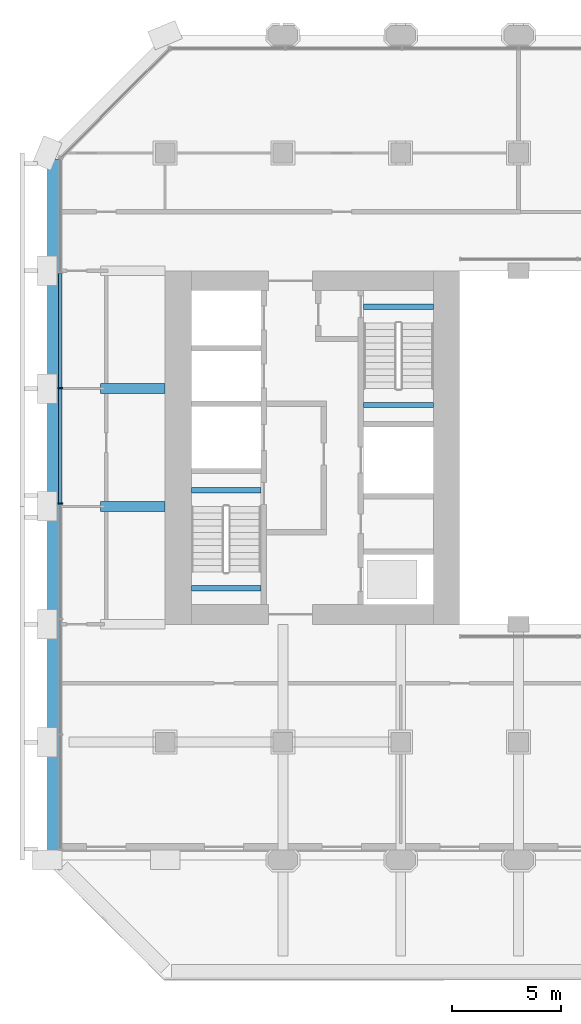
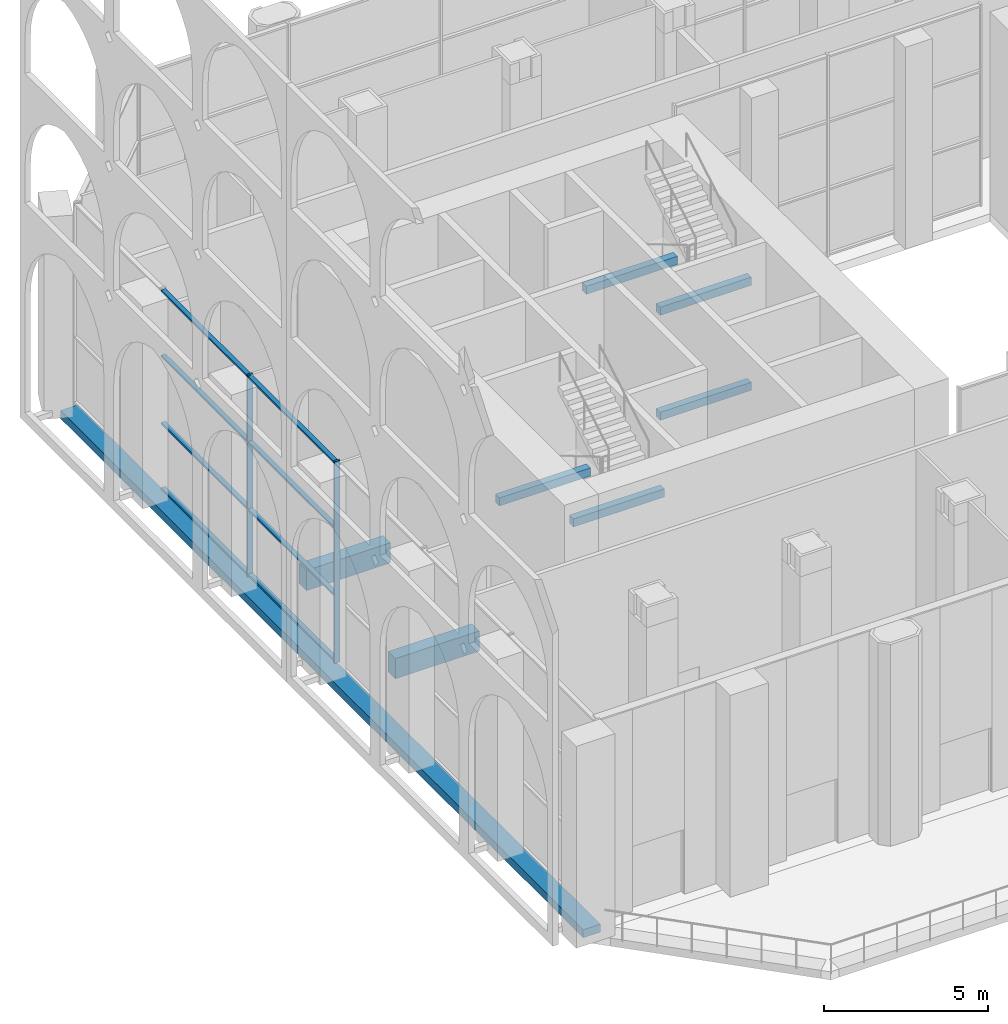
# One storey, part 4 of 20: 10 members, 8 beams, 1 element without a shape of its own.
"""IFC4 building model written with IfcOpenShell, lengths in metres."""

from ifc_helpers import new_model, si_unit, direction, frame, origin, origin_2d, place, context, subcontext, project, spatial, rectangle, extrude, material, material_profile, profile_set, type_object, element, aggregate, save


model = new_model("IFC4")

# Units and contexts
model_context = context("Model", 3, precision=1e-05, world=origin(), true_north=direction((0.0, 1.0)))
body_context = subcontext(model_context, "Body", "Model", "MODEL_VIEW")
ifc_project = project(units=[si_unit("LENGTHUNIT", "METRE"), si_unit("AREAUNIT", "SQUARE_METRE"), si_unit("VOLUMEUNIT", "CUBIC_METRE"), si_unit("PLANEANGLEUNIT", "RADIAN"), si_unit("MASSUNIT", "GRAM", prefix="KILO")], contexts=[model_context])

# Site, building, storey
site_placement = place(None, origin())
site = spatial("IfcSite", under=ifc_project, at=site_placement, CompositionType="ELEMENT")
building_placement = place(site_placement, origin())
building = spatial("IfcBuilding", under=site, at=building_placement, Name="Tabaq Tower and Sports Hall", CompositionType="ELEMENT")
storey_placement = place(building_placement, frame((0.0, 0.0, 130.60009765625)))
storey = spatial("IfcBuildingStorey", under=building, at=storey_placement, Name="L31", CompositionType="ELEMENT", Elevation=130.60009765625)

# Curtain wall, members
ifc_material_1 = material(Name="Aluminium alloy 6063-T6 framed glazing", Category="aluminium")
curtain_wall_type = type_object("IfcCurtainWallType", Name="CW2 curtain wall", PredefinedType="USERDEFINED", material=ifc_material_1)
curtain_wall_placement = place(storey_placement, origin())
curtain_wall = element("IfcCurtainWall", 1, at=curtain_wall_placement, inside=storey, type_object=curtain_wall_type, Name="Sky Lobby Wall L31 W", ObjectType="SKY LOBBY WALL", PredefinedType="USERDEFINED")
ifc_material_2 = material(Name="Aluminium alloy 6063-T6", Category="aluminium")
ifc_material_profile_1 = material_profile(ifc_material_2, rectangle(XDim=0.199951171875, YDim=0.070068359375, at=origin_2d()), Name="MULLION 200x70")
ifc_profile_set_1 = profile_set([ifc_material_profile_1], Name="Aluminium alloy 6063-T6")
member_type_1 = type_object("IfcMemberType", Name="CW2 mullion 200x70", PredefinedType="MULLION", material=ifc_profile_set_1)
member_1_placement = place(storey_placement, frame((0.60009765625, 27.025634765625, 0.0), z_axis=(0.0, 0.0, 1.0), x_axis=(1.0, 0.0, 0.0)))
member_1 = element("IfcMember", 2, at=member_1_placement, type_object=member_type_1, Name="CW2 mullion 3", PredefinedType="MULLION", context=body_context, shape_type="SweptSolid", body=[
    extrude(rectangle(XDim=0.199951171875, YDim=0.070068359375, at=origin_2d()), origin(), (0.0, 0.0, 1.0), 7.5),
])
member_2_placement = place(storey_placement, frame((0.60009765625, 21.731689453125, 0.0), z_axis=(0.0, 0.0, 1.0), x_axis=(1.0, 0.0, 0.0)))
member_2 = element("IfcMember", 3, at=member_2_placement, type_object=member_type_1, Name="CW2 mullion 4", PredefinedType="MULLION", context=body_context, shape_type="SweptSolid", body=[
    extrude(rectangle(XDim=0.199951171875, YDim=0.070068359375, at=origin_2d()), origin(), (0.0, 0.0, 1.0), 7.5),
])
ifc_material_3 = material(Name="Aluminium alloy 6063-T6", Category="aluminium")
ifc_material_profile_2 = material_profile(ifc_material_3, rectangle(XDim=0.159912109375, YDim=0.070068359375, at=origin_2d()), Name="TRANSOM 160x70")
ifc_profile_set_2 = profile_set([ifc_material_profile_2], Name="Aluminium alloy 6063-T6")
member_type_2 = type_object("IfcMemberType", Name="CW2 transom 160x70", PredefinedType="USERDEFINED", material=ifc_profile_set_2)
member_3_placement = place(storey_placement, frame((0.60009765625, 32.28466796875, 0.079833984375), z_axis=(0.0, -1.0, 0.0), x_axis=(1.0, 0.0, 0.0)))
member_3 = element("IfcMember", 4, at=member_3_placement, type_object=member_type_2, Name="CW2 transom 2.1", ObjectType="TRANSOM", PredefinedType="USERDEFINED", context=body_context, shape_type="SweptSolid", body=[
    extrude(rectangle(XDim=0.159912109375, YDim=0.070068359375, at=origin_2d()), origin(), (0.0, 0.0, 1.0), 5.223876953125),
])
member_4_placement = place(storey_placement, frame((0.60009765625, 32.28466796875, 2.5), z_axis=(0.0, -1.0, 0.0), x_axis=(1.0, 0.0, 0.0)))
member_4 = element("IfcMember", 5, at=member_4_placement, type_object=member_type_2, Name="CW2 transom 2.2", ObjectType="TRANSOM", PredefinedType="USERDEFINED", context=body_context, shape_type="SweptSolid", body=[
    extrude(rectangle(XDim=0.159912109375, YDim=0.070068359375, at=origin_2d()), origin(), (0.0, 0.0, 1.0), 5.223876953125),
])
member_5_placement = place(storey_placement, frame((0.60009765625, 32.28466796875, 5.0), z_axis=(0.0, -1.0, 0.0), x_axis=(1.0, 0.0, 0.0)))
member_5 = element("IfcMember", 6, at=member_5_placement, type_object=member_type_2, Name="CW2 transom 2.3", ObjectType="TRANSOM", PredefinedType="USERDEFINED", context=body_context, shape_type="SweptSolid", body=[
    extrude(rectangle(XDim=0.159912109375, YDim=0.070068359375, at=origin_2d()), origin(), (0.0, 0.0, 1.0), 5.223876953125),
])
member_6_placement = place(storey_placement, frame((0.60009765625, 32.28466796875, 7.419921875), z_axis=(0.0, -1.0, 0.0), x_axis=(1.0, 0.0, 0.0)))
member_6 = element("IfcMember", 7, at=member_6_placement, type_object=member_type_2, Name="CW2 transom 2.4", ObjectType="TRANSOM", PredefinedType="USERDEFINED", context=body_context, shape_type="SweptSolid", body=[
    extrude(rectangle(XDim=0.159912109375, YDim=0.070068359375, at=origin_2d()), origin(), (0.0, 0.0, 1.0), 5.223876953125),
])
member_7_placement = place(storey_placement, frame((0.60009765625, 26.99072265625, 0.079833984375), z_axis=(0.0, -1.0, 0.0), x_axis=(1.0, 0.0, 0.0)))
member_7 = element("IfcMember", 8, at=member_7_placement, type_object=member_type_2, Name="CW2 transom 3.1", ObjectType="TRANSOM", PredefinedType="USERDEFINED", context=body_context, shape_type="SweptSolid", body=[
    extrude(rectangle(XDim=0.159912109375, YDim=0.070068359375, at=origin_2d()), origin(), (0.0, 0.0, 1.0), 5.223876953125),
])
member_8_placement = place(storey_placement, frame((0.60009765625, 26.99072265625, 2.5), z_axis=(0.0, -1.0, 0.0), x_axis=(1.0, 0.0, 0.0)))
member_8 = element("IfcMember", 9, at=member_8_placement, type_object=member_type_2, Name="CW2 transom 3.2", ObjectType="TRANSOM", PredefinedType="USERDEFINED", context=body_context, shape_type="SweptSolid", body=[
    extrude(rectangle(XDim=0.159912109375, YDim=0.070068359375, at=origin_2d()), origin(), (0.0, 0.0, 1.0), 5.223876953125),
])
member_9_placement = place(storey_placement, frame((0.60009765625, 26.99072265625, 5.0), z_axis=(0.0, -1.0, 0.0), x_axis=(1.0, 0.0, 0.0)))
member_9 = element("IfcMember", 10, at=member_9_placement, type_object=member_type_2, Name="CW2 transom 3.3", ObjectType="TRANSOM", PredefinedType="USERDEFINED", context=body_context, shape_type="SweptSolid", body=[
    extrude(rectangle(XDim=0.159912109375, YDim=0.070068359375, at=origin_2d()), origin(), (0.0, 0.0, 1.0), 5.223876953125),
])
member_10_placement = place(storey_placement, frame((0.60009765625, 26.99072265625, 7.419921875), z_axis=(0.0, -1.0, 0.0), x_axis=(1.0, 0.0, 0.0)))
member_10 = element("IfcMember", 11, at=member_10_placement, type_object=member_type_2, Name="CW2 transom 3.4", ObjectType="TRANSOM", PredefinedType="USERDEFINED", context=body_context, shape_type="SweptSolid", body=[
    extrude(rectangle(XDim=0.159912109375, YDim=0.070068359375, at=origin_2d()), origin(), (0.0, 0.0, 1.0), 5.223876953125),
])
aggregate(curtain_wall, [member_1, member_2, member_3, member_4, member_5, member_6, member_7, member_8, member_9, member_10])

# Beams
ifc_material_4 = material(Name="Concrete C40/50", Category="concrete")
ifc_material_profile_3 = material_profile(ifc_material_4, rectangle(XDim=0.449951171875, YDim=0.75, at=origin_2d()), Name="CB 450x750")
ifc_profile_set_3 = profile_set([ifc_material_profile_3], Name="Concrete C40/50")
beam_type_1 = type_object("IfcBeamType", Name="PT CANTILEVER BEAM CB 450x750 C40/50", PredefinedType="BEAM", material=ifc_profile_set_3)
for number, where, z_axis, x_axis, name in (
    (12, (2.449951171875, 21.60009765625, -0.675048828125), (1.0, 0.0, 0.0), (0.0, 1.0, 0.0), "Cantilever Beam L31 W4 span 1"),
    (13, (2.449951171875, 27.0, -0.675048828125), (1.0, 0.0, 0.0), (0.0, 1.0, 0.0), "Cantilever Beam L31 W5 span 1"),
):
    element("IfcBeam", number, at=place(storey_placement, frame(where, z_axis=z_axis, x_axis=x_axis)), inside=storey, type_object=beam_type_1, Name=name, PredefinedType="BEAM", context=body_context, shape_type="SweptSolid", body=[
        extrude(rectangle(XDim=0.449951171875, YDim=0.75, at=origin_2d()), origin(), (0.0, 0.0, 1.0), 2.949951171875),
    ])
ifc_material_5 = material(Name="Concrete C40/50", Category="concrete")
ifc_material_profile_4 = material_profile(ifc_material_5, rectangle(XDim=0.60009765625, YDim=0.300048828125, at=origin_2d()), Name="EB 600x300")
ifc_profile_set_4 = profile_set([ifc_material_profile_4], Name="Concrete C40/50")
beam_type_2 = type_object("IfcBeamType", Name="PT EDGE BEAM EB 600x300 C40/50", PredefinedType="SPANDREL", material=ifc_profile_set_4)
beam_placement = place(storey_placement, frame((0.300048828125, 37.50146484375, -0.150146484375), z_axis=(0.0, -1.0, 0.0), x_axis=(1.0, 0.0, 0.0)))
element("IfcBeam", 14, at=beam_placement, inside=storey, type_object=beam_type_2, Name="Edge Beam L31 2", PredefinedType="SPANDREL", context=body_context, shape_type="SweptSolid", body=[
    extrude(rectangle(XDim=0.60009765625, YDim=0.300048828125, at=origin_2d()), origin(), (0.0, 0.0, 1.0), 31.802978515625),
])
ifc_material_6 = material(Name="Concrete C40/50", Category="concrete")
ifc_material_profile_5 = material_profile(ifc_material_6, rectangle(XDim=0.25, YDim=0.300048828125, at=origin_2d()), Name="RC 250x300")
ifc_profile_set_5 = profile_set([ifc_material_profile_5], Name="Concrete C40/50")
beam_type_3 = type_object("IfcBeamType", Name="Stair landing beam 250x300", PredefinedType="BEAM", material=ifc_profile_set_5)
for number, where, z_axis, x_axis, name in (
    (15, (6.60009765625, 22.35009765625, 3.5498046875), (1.0, 0.0, 0.0), (0.0, 1.0, 0.0), "L31 ST1 landing beam 2"),
    (16, (6.60009765625, 17.85009765625, 5.5), (1.0, 0.0, 0.0), (0.0, 1.0, 0.0), "L31 ST1 landing beam 3"),
    (17, (14.5, 26.25, 1.599853515625), (1.0, 0.0, 0.0), (0.0, 1.0, 0.0), "L31 ST2 landing beam 1"),
    (18, (14.5, 30.75, 3.5498046875), (1.0, 0.0, 0.0), (0.0, 1.0, 0.0), "L31 ST2 landing beam 2"),
    (19, (14.5, 26.25, 5.5), (1.0, 0.0, 0.0), (0.0, 1.0, 0.0), "L31 ST2 landing beam 3"),
):
    element("IfcBeam", number, at=place(storey_placement, frame(where, z_axis=z_axis, x_axis=x_axis)), inside=storey, type_object=beam_type_3, Name=name, PredefinedType="BEAM", context=body_context, shape_type="SweptSolid", body=[
        extrude(rectangle(XDim=0.25, YDim=0.300048828125, at=origin_2d()), origin(), (0.0, 0.0, 1.0), 3.199951171875),
    ])

save(model, "model.ifc")
